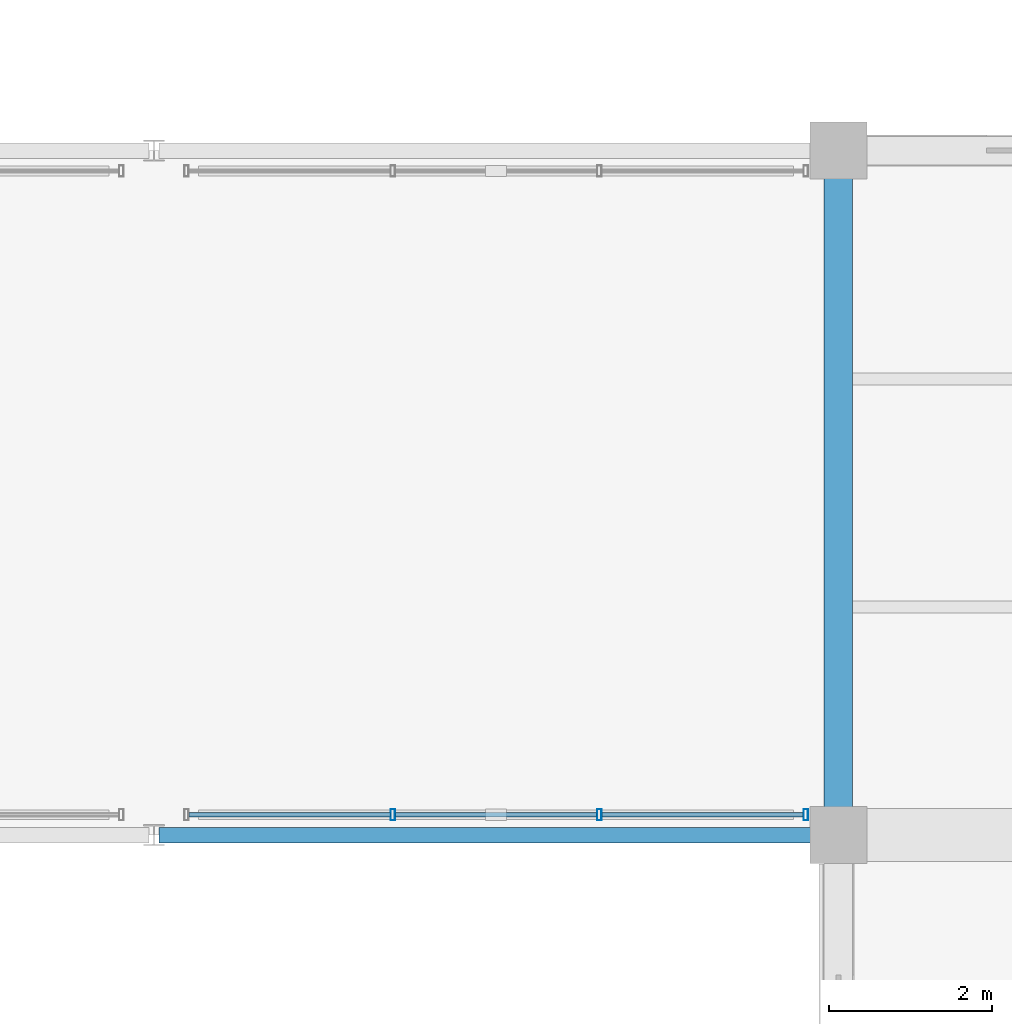
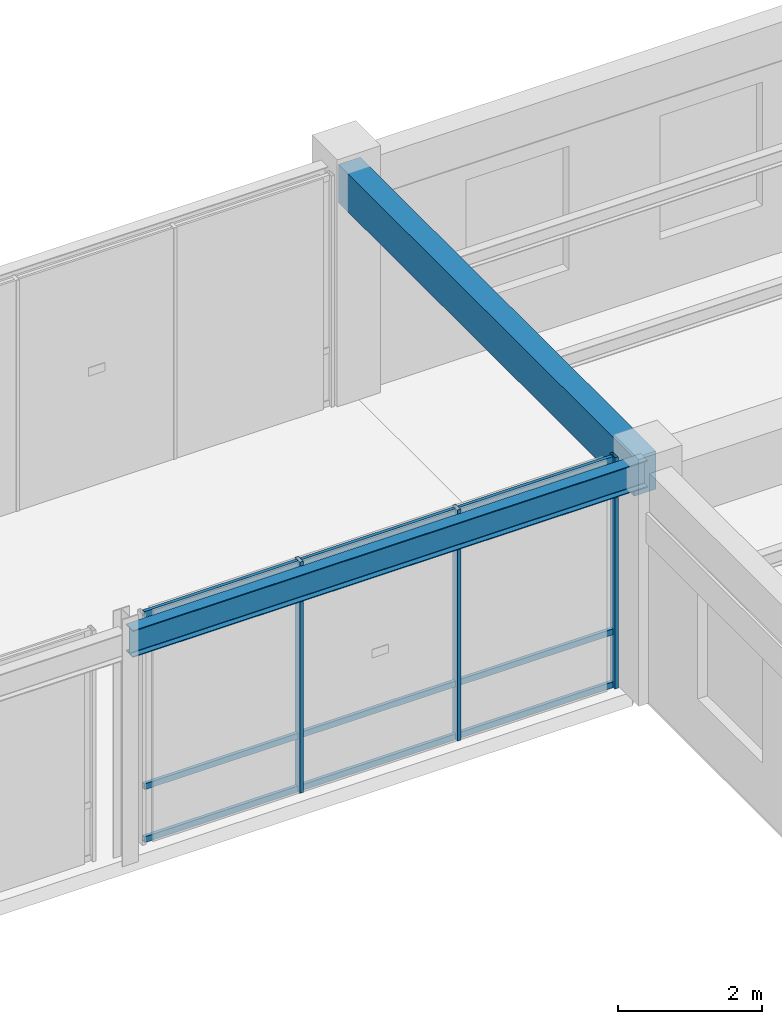
# One storey, part 42 of 152: 12 members, 2 beams, 1 element without a shape of its own.
"""IFC4 building model written with IfcOpenShell, lengths in metres."""

import ifcopenshell
import ifcopenshell.guid

model = None  # the IFC model being written
_history = None  # IfcOwnerHistory: only IFC2X3 demands one
_inside = {}  # id of a spatial element -> (the spatial element, [elements in it])
_under = {}  # id of a project, library or spatial element -> (it, [spatial elements below it])
_declared = {}  # id of a project -> (the project, [libraries it declares])
_typed = {}  # id of a type object -> (the type object, [elements of that type])
_made_of = {}  # id of a material, layer set ... -> (it, [elements and type objects made of it])


def new_model(schema):
    """Start an empty IFC model of exactly this schema.

    Asked for "IFC4X3", IfcOpenShell would pick the latest addendum, in which some entities
    have other attributes; the version numbers below select the first issue.
    IFC2X3 requires an IfcOwnerHistory on every rooted entity: one is made here for all.
    """
    global model, _history
    if schema == "IFC4X3":
        model = ifcopenshell.file(schema_version=(4, 3, 0, 0))
    else:
        model = ifcopenshell.file(schema=schema)
    _inside.clear()
    _under.clear()
    _declared.clear()
    _typed.clear()
    _made_of.clear()
    _history = None
    if model.schema == "IFC2X3":
        org = make("IfcOrganization", Name="unknown")
        user = make(
            "IfcPersonAndOrganization",
            ThePerson=make("IfcPerson", FamilyName="unknown"),
            TheOrganization=org,
        )
        app = make(
            "IfcApplication",
            ApplicationDeveloper=org,
            Version="unknown",
            ApplicationFullName="unknown",
            ApplicationIdentifier="unknown",
        )
        _history = make(
            "IfcOwnerHistory",
            OwningUser=user,
            OwningApplication=app,
            ChangeAction="ADDED",
            CreationDate=0,
        )
    return model


def make(cls, **values):
    """One entity of the class cls with the attributes given. An attribute that is None is left unset."""
    return model.create_entity(
        cls, **{name: value for name, value in values.items() if value is not None}
    )


def rooted(cls, **values):
    """An entity with a GlobalId (a new one), such as an element, a storey or a relation."""
    return make(cls, GlobalId=ifcopenshell.guid.new(), OwnerHistory=_history, **values)


def si_unit(unit_type, name, prefix=None):
    """IfcSIUnit, for example si_unit("LENGTHUNIT", "METRE", prefix="MILLI")."""
    return make("IfcSIUnit", UnitType=unit_type, Prefix=prefix, Name=name)


def assignment(units):
    """IfcUnitAssignment: the units of a project."""
    return None if units is None else make("IfcUnitAssignment", Units=units)


def point(xyz):
    """IfcCartesianPoint."""
    return None if xyz is None else make("IfcCartesianPoint", Coordinates=xyz)


def direction(xyz):
    """IfcDirection."""
    return None if xyz is None else make("IfcDirection", DirectionRatios=xyz)


def frame(location, z_axis=None, x_axis=None):
    """IfcAxis2Placement3D, a coordinate frame: its origin and axes. An axis left out is left unset."""
    return make(
        "IfcAxis2Placement3D",
        Location=point(location),
        Axis=direction(z_axis),
        RefDirection=direction(x_axis),
    )


def frame_2d(location, x_axis=None):
    """IfcAxis2Placement2D, a coordinate frame in the plane: its origin and x axis."""
    return make(
        "IfcAxis2Placement2D", Location=point(location), RefDirection=direction(x_axis)
    )


def origin():
    """The frame at (0, 0, 0) with its axes left unset."""
    return frame((0.0, 0.0, 0.0))


def origin_2d():
    """The frame at (0, 0) in the plane with its x axis left unset."""
    return frame_2d((0.0, 0.0))


def place(relative_to, where):
    """IfcLocalPlacement: puts the frame where relative to a parent placement (None: the world)."""
    return make(
        "IfcLocalPlacement", PlacementRelTo=relative_to, RelativePlacement=where
    )


def context(
    kind, dimensions, precision=None, world=None, true_north=None, identifier=None
):
    """IfcGeometricRepresentationContext, for example the 3D "Model" context."""
    return make(
        "IfcGeometricRepresentationContext",
        ContextIdentifier=identifier,
        ContextType=kind,
        CoordinateSpaceDimension=dimensions,
        Precision=precision,
        WorldCoordinateSystem=world,
        TrueNorth=true_north,
    )


def subcontext(parent, identifier, kind, view, scale=None):
    """IfcGeometricRepresentationSubContext, for example "Body" below "Model"."""
    return make(
        "IfcGeometricRepresentationSubContext",
        ContextIdentifier=identifier,
        ContextType=kind,
        ParentContext=parent,
        TargetScale=scale,
        TargetView=view,
    )


def project(units=None, contexts=None):
    """IfcProject with its units and contexts."""
    return rooted(
        "IfcProject",
        Name="project",
        RepresentationContexts=contexts,
        UnitsInContext=assignment(units),
    )


def spatial(cls, under=None, at=None, **own):
    """A site, building, storey or space (cls), placed at a placement, below another one or the project."""
    s = rooted(cls, ObjectPlacement=at, **own)
    if under is not None:
        _under.setdefault(under.id(), (under, []))[1].append(s)
    return s


def profile(cls, at=None, kind="AREA", **sizes):
    """A parametric profile (cls). Its sizes go by their IFC names, for example OverallWidth=200.0."""
    return make(cls, ProfileType=kind, Position=at, **sizes)


def rectangle(**sizes):
    """IfcRectangleProfileDef."""
    return profile("IfcRectangleProfileDef", **sizes)


def hollow_rectangle(**sizes):
    """IfcRectangleHollowProfileDef."""
    return profile("IfcRectangleHollowProfileDef", **sizes)


def i_section(**sizes):
    """IfcIShapeProfileDef."""
    return profile("IfcIShapeProfileDef", **sizes)


def extrude(swept, where, along, depth):
    """IfcExtrudedAreaSolid: the profile swept, set in the frame where, extruded along a direction by depth."""
    return make(
        "IfcExtrudedAreaSolid",
        SweptArea=swept,
        Position=where,
        ExtrudedDirection=direction(along),
        Depth=depth,
    )


def shape(context_of_items, identifier, shape_type, items):
    """IfcShapeRepresentation: the items that make up one representation, for example the "Body"."""
    return make(
        "IfcShapeRepresentation",
        ContextOfItems=context_of_items,
        RepresentationIdentifier=identifier,
        RepresentationType=shape_type,
        Items=items,
    )


def material(Name=None, Category=None):
    """IfcMaterial."""
    return make("IfcMaterial", Name=Name, Category=Category)


def material_profile(
    of_material, cross_section, Name=None, Category=None, Priority=None
):
    """IfcMaterialProfile: a cross section and its material."""
    return make(
        "IfcMaterialProfile",
        Name=Name,
        Material=of_material,
        Profile=cross_section,
        Priority=Priority,
        Category=Category,
    )


def profile_set(profiles, Name=None, composite=None):
    """IfcMaterialProfileSet."""
    return make(
        "IfcMaterialProfileSet",
        Name=Name,
        MaterialProfiles=profiles,
        CompositeProfile=composite,
    )


def made_of(thing, what):
    """Note that an element or type object is made of a material, layer set ...; save() writes the relation."""
    if what is not None:
        _made_of.setdefault(what.id(), (what, []))[1].append(thing)
    return thing


def type_object(cls, material=None, **own):
    """A type object (cls), such as IfcWallType, which elements share."""
    return made_of(rooted(cls, **own), material)


def element(
    cls,
    number,
    at=None,
    inside=None,
    cuts=None,
    type_object=None,
    material=None,
    context=None,
    identifier="Body",
    shape_type=None,
    held_by="IfcProductDefinitionShape",
    body=None,
    shapes=None,
    **own,
):
    """One element of the class cls, such as IfcWall. Its Tag is "e" and its number.

    at: its placement. inside: the storey or other place that contains it. cuts: it is an
    opening in that element (IfcRelVoidsElement). A single representation is given by context,
    identifier, shape_type and body (its items); several are given by shapes. held_by: the class
    of the entity that holds the representations. save() writes the other relations.
    """
    e = rooted(cls, Tag="e%d" % number, ObjectPlacement=at, **own)
    if body is not None:
        shapes = [shape(context, identifier, shape_type, body)]
    if shapes is not None:
        e.Representation = make(held_by, Representations=shapes)
    if inside is not None:
        _inside.setdefault(inside.id(), (inside, []))[1].append(e)
    if cuts is not None:
        rooted(
            "IfcRelVoidsElement", RelatingBuildingElement=cuts, RelatedOpeningElement=e
        )
    if type_object is not None:
        _typed.setdefault(type_object.id(), (type_object, []))[1].append(e)
    return made_of(e, material)


def aggregate(whole, parts):
    """IfcRelAggregates: a whole, such as a stair, and the parts it consists of."""
    return rooted("IfcRelAggregates", RelatingObject=whole, RelatedObjects=parts)


def save(model, path):
    """Write the relations noted so far, then the file.

    IfcRelAggregates (storeys below a building ...), IfcRelContainedInSpatialStructure (elements
    in a storey), IfcRelDefinesByType, IfcRelAssociatesMaterial and IfcRelDeclares: one each for
    every whole, place, type object, material and project.
    """
    for whole, parts in _under.values():
        aggregate(whole, parts)
    for where, things in _inside.values():
        rooted(
            "IfcRelContainedInSpatialStructure",
            RelatedElements=things,
            RelatingStructure=where,
        )
    for kind, things in _typed.values():
        rooted("IfcRelDefinesByType", RelatedObjects=things, RelatingType=kind)
    for what, things in _made_of.values():
        rooted("IfcRelAssociatesMaterial", RelatedObjects=things, RelatingMaterial=what)
    for by, libraries in _declared.values():
        rooted("IfcRelDeclares", RelatingContext=by, RelatedDefinitions=libraries)
    model.write(path)


model = new_model("IFC4")

# Units and contexts
model_context = context("Model", 3, precision=1e-05, world=origin(), true_north=direction((0.0, 1.0)))
body_context = subcontext(model_context, "Body", "Model", "MODEL_VIEW")
ifc_project = project(units=[si_unit("LENGTHUNIT", "METRE"), si_unit("AREAUNIT", "SQUARE_METRE"), si_unit("VOLUMEUNIT", "CUBIC_METRE"), si_unit("PLANEANGLEUNIT", "RADIAN"), si_unit("MASSUNIT", "GRAM", prefix="KILO"), si_unit("THERMODYNAMICTEMPERATUREUNIT", "KELVIN"), si_unit("POWERUNIT", "WATT")], contexts=[model_context])

# Site, building, storey
site_placement = place(None, origin())
site = spatial("IfcSite", under=ifc_project, at=site_placement, CompositionType="ELEMENT")
building_placement = place(site_placement, origin())
building = spatial("IfcBuilding", under=site, at=building_placement, Name="Darbajah Civic Hall", CompositionType="ELEMENT")
storey_placement = place(building_placement, frame((0.0, 0.0, 5.39990234375)))
storey = spatial("IfcBuildingStorey", under=building, at=storey_placement, Name="L01", CompositionType="ELEMENT", Elevation=5.39990234375)

# Curtain wall, members
ifc_material_1 = material(Name="Anodised Bronze Aluminium and Low-E Glazing", Category="aluminium")
curtain_wall_type = type_object("IfcCurtainWallType", Name="Unitised Curtain Wall CW-103 7600x3950", PredefinedType="USERDEFINED", material=ifc_material_1)
curtain_wall_placement = place(storey_placement, origin())
curtain_wall = element("IfcCurtainWall", 1, at=curtain_wall_placement, inside=storey, type_object=curtain_wall_type, Name="L01 unitised curtain wall CW-V6-SE-S2-L01", ObjectType="UNITISED CURTAIN WALL", PredefinedType="USERDEFINED")
ifc_material_2 = material(Name="Anodised Bronze Aluminium", Category="aluminium")
ifc_material_profile_1 = material_profile(ifc_material_2, hollow_rectangle(XDim=0.054931640625, YDim=0.139892578125, WallThickness=0.003173828125, at=origin_2d()), Name="ALU MULLION 55x140")
ifc_profile_set_1 = profile_set([ifc_material_profile_1], Name="Anodised Bronze Aluminium")
member_type_1 = type_object("IfcMemberType", Name="ALU MULLION 55x140", PredefinedType="MULLION", material=ifc_profile_set_1)
member_1_placement = place(storey_placement, frame((105.533203125, 33.85009765625, 0.0), z_axis=(0.0, 0.0, 1.0), x_axis=(1.0, 0.0, 0.0)))
member_1 = element("IfcMember", 2, at=member_1_placement, type_object=member_type_1, Name="CW-V6-SE-S2-L01 mullion 2", PredefinedType="MULLION", context=body_context, shape_type="SweptSolid", body=[
    extrude(hollow_rectangle(XDim=0.054931640625, YDim=0.139892578125, WallThickness=0.003173828125, at=origin_2d()), origin(), (0.0, 0.0, 1.0), 3.93017578125),
])
member_2_placement = place(storey_placement, frame((108.066650390625, 33.85009765625, 0.0), z_axis=(0.0, 0.0, 1.0), x_axis=(1.0, 0.0, 0.0)))
member_2 = element("IfcMember", 3, at=member_2_placement, type_object=member_type_1, Name="CW-V6-SE-S2-L01 mullion 3", PredefinedType="MULLION", context=body_context, shape_type="SweptSolid", body=[
    extrude(hollow_rectangle(XDim=0.054931640625, YDim=0.139892578125, WallThickness=0.003173828125, at=origin_2d()), origin(), (0.0, 0.0, 1.0), 3.93017578125),
])
member_3_placement = place(storey_placement, frame((110.60009765625, 33.85009765625, 0.0), z_axis=(0.0, 0.0, 1.0), x_axis=(1.0, 0.0, 0.0)))
member_3 = element("IfcMember", 4, at=member_3_placement, type_object=member_type_1, Name="CW-V6-SE-S2-L01 mullion 4", PredefinedType="MULLION", context=body_context, shape_type="SweptSolid", body=[
    extrude(hollow_rectangle(XDim=0.054931640625, YDim=0.139892578125, WallThickness=0.003173828125, at=origin_2d()), origin(), (0.0, 0.0, 1.0), 3.93017578125),
])
ifc_material_profile_2 = material_profile(ifc_material_2, hollow_rectangle(XDim=0.054931640625, YDim=0.10009765625, WallThickness=0.0029296875, at=origin_2d()), Name="ALU TRANSOM 55x100")
ifc_profile_set_2 = profile_set([ifc_material_profile_2], Name="Anodised Bronze Aluminium")
member_type_2 = type_object("IfcMemberType", Name="ALU TRANSOM 55x100", PredefinedType="USERDEFINED", material=ifc_profile_set_2)
member_4_placement = place(storey_placement, frame((103.032470703125, 33.85009765625, 0.050048828125), z_axis=(1.0, 0.0, 0.0), x_axis=(0.0, 1.0, 0.0)))
member_4 = element("IfcMember", 5, at=member_4_placement, type_object=member_type_2, Name="CW-V6-SE-S2-L01 transom 1.1", ObjectType="TRANSOM", PredefinedType="USERDEFINED", context=body_context, shape_type="SweptSolid", body=[
    extrude(hollow_rectangle(XDim=0.054931640625, YDim=0.10009765625, WallThickness=0.0029296875, at=origin_2d()), origin(), (0.0, 0.0, 1.0), 2.46826171875),
])
member_5_placement = place(storey_placement, frame((103.032470703125, 33.85009765625, 0.9501953125), z_axis=(1.0, 0.0, 0.0), x_axis=(0.0, 1.0, 0.0)))
member_5 = element("IfcMember", 6, at=member_5_placement, type_object=member_type_2, Name="CW-V6-SE-S2-L01 transom 1.2", ObjectType="TRANSOM", PredefinedType="USERDEFINED", context=body_context, shape_type="SweptSolid", body=[
    extrude(hollow_rectangle(XDim=0.054931640625, YDim=0.10009765625, WallThickness=0.0029296875, at=origin_2d()), origin(), (0.0, 0.0, 1.0), 2.46826171875),
])
member_6_placement = place(storey_placement, frame((103.032470703125, 33.85009765625, 3.880126953125), z_axis=(1.0, 0.0, 0.0), x_axis=(0.0, 1.0, 0.0)))
member_6 = element("IfcMember", 7, at=member_6_placement, type_object=member_type_2, Name="CW-V6-SE-S2-L01 transom 1.3", ObjectType="TRANSOM", PredefinedType="USERDEFINED", context=body_context, shape_type="SweptSolid", body=[
    extrude(hollow_rectangle(XDim=0.054931640625, YDim=0.10009765625, WallThickness=0.0029296875, at=origin_2d()), origin(), (0.0, 0.0, 1.0), 2.46826171875),
])
member_7_placement = place(storey_placement, frame((105.56591796875, 33.85009765625, 0.050048828125), z_axis=(1.0, 0.0, 0.0), x_axis=(0.0, 1.0, 0.0)))
member_7 = element("IfcMember", 8, at=member_7_placement, type_object=member_type_2, Name="CW-V6-SE-S2-L01 transom 2.1", ObjectType="TRANSOM", PredefinedType="USERDEFINED", context=body_context, shape_type="SweptSolid", body=[
    extrude(hollow_rectangle(XDim=0.054931640625, YDim=0.10009765625, WallThickness=0.0029296875, at=origin_2d()), origin(), (0.0, 0.0, 1.0), 2.46826171875),
])
member_8_placement = place(storey_placement, frame((105.56591796875, 33.85009765625, 0.9501953125), z_axis=(1.0, 0.0, 0.0), x_axis=(0.0, 1.0, 0.0)))
member_8 = element("IfcMember", 9, at=member_8_placement, type_object=member_type_2, Name="CW-V6-SE-S2-L01 transom 2.2", ObjectType="TRANSOM", PredefinedType="USERDEFINED", context=body_context, shape_type="SweptSolid", body=[
    extrude(hollow_rectangle(XDim=0.054931640625, YDim=0.10009765625, WallThickness=0.0029296875, at=origin_2d()), origin(), (0.0, 0.0, 1.0), 2.46826171875),
])
member_9_placement = place(storey_placement, frame((105.56591796875, 33.85009765625, 3.880126953125), z_axis=(1.0, 0.0, 0.0), x_axis=(0.0, 1.0, 0.0)))
member_9 = element("IfcMember", 10, at=member_9_placement, type_object=member_type_2, Name="CW-V6-SE-S2-L01 transom 2.3", ObjectType="TRANSOM", PredefinedType="USERDEFINED", context=body_context, shape_type="SweptSolid", body=[
    extrude(hollow_rectangle(XDim=0.054931640625, YDim=0.10009765625, WallThickness=0.0029296875, at=origin_2d()), origin(), (0.0, 0.0, 1.0), 2.46826171875),
])
member_10_placement = place(storey_placement, frame((108.09912109375, 33.85009765625, 0.050048828125), z_axis=(1.0, 0.0, 0.0), x_axis=(0.0, 1.0, 0.0)))
member_10 = element("IfcMember", 11, at=member_10_placement, type_object=member_type_2, Name="CW-V6-SE-S2-L01 transom 3.1", ObjectType="TRANSOM", PredefinedType="USERDEFINED", context=body_context, shape_type="SweptSolid", body=[
    extrude(hollow_rectangle(XDim=0.054931640625, YDim=0.10009765625, WallThickness=0.0029296875, at=origin_2d()), origin(), (0.0, 0.0, 1.0), 2.46826171875),
])
member_11_placement = place(storey_placement, frame((108.09912109375, 33.85009765625, 0.9501953125), z_axis=(1.0, 0.0, 0.0), x_axis=(0.0, 1.0, 0.0)))
member_11 = element("IfcMember", 12, at=member_11_placement, type_object=member_type_2, Name="CW-V6-SE-S2-L01 transom 3.2", ObjectType="TRANSOM", PredefinedType="USERDEFINED", context=body_context, shape_type="SweptSolid", body=[
    extrude(hollow_rectangle(XDim=0.054931640625, YDim=0.10009765625, WallThickness=0.0029296875, at=origin_2d()), origin(), (0.0, 0.0, 1.0), 2.46826171875),
])
member_12_placement = place(storey_placement, frame((108.09912109375, 33.85009765625, 3.880126953125), z_axis=(1.0, 0.0, 0.0), x_axis=(0.0, 1.0, 0.0)))
member_12 = element("IfcMember", 13, at=member_12_placement, type_object=member_type_2, Name="CW-V6-SE-S2-L01 transom 3.3", ObjectType="TRANSOM", PredefinedType="USERDEFINED", context=body_context, shape_type="SweptSolid", body=[
    extrude(hollow_rectangle(XDim=0.054931640625, YDim=0.10009765625, WallThickness=0.0029296875, at=origin_2d()), origin(), (0.0, 0.0, 1.0), 2.46826171875),
])
aggregate(curtain_wall, [member_1, member_2, member_3, member_4, member_5, member_6, member_7, member_8, member_9, member_10, member_11, member_12])

# Beams
ifc_material_3 = material(Name="Concrete C45/55", Category="concrete")
ifc_material_profile_3 = material_profile(ifc_material_3, rectangle(XDim=0.35009765625, YDim=0.64990234375, at=origin_2d()), Name="RC SPANDREL 350x650")
ifc_profile_set_3 = profile_set([ifc_material_profile_3], Name="Concrete C45/55")
beam_type_1 = type_object("IfcBeamType", Name="RC SPANDREL 350x650", PredefinedType="SPANDREL", material=ifc_profile_set_3)
beam_1_placement = place(storey_placement, frame((111.0, 33.679931640625, 3.5751953125), z_axis=(0.0, 1.0, 0.0), x_axis=(-1.0, 0.0, 0.0)))
element("IfcBeam", 14, at=beam_1_placement, inside=storey, type_object=beam_type_1, Name="L01 beam SP-3565", PredefinedType="SPANDREL", context=body_context, shape_type="SweptSolid", body=[
    extrude(rectangle(XDim=0.35009765625, YDim=0.64990234375, at=origin_2d()), origin(), (0.0, 0.0, 1.0), 8.239990234375),
])
ifc_material_4 = material(Name="Steel S355JR", Category="steel")
ifc_material_profile_4 = material_profile(ifc_material_4, i_section(OverallWidth=0.1904296875, OverallDepth=0.45703125, WebThickness=0.009033203125, FlangeThickness=0.014404296875, FilletRadius=0.01025390625, at=origin_2d()), Name="UB 457x191x74")
ifc_profile_set_4 = profile_set([ifc_material_profile_4], Name="Steel S355JR")
beam_type_2 = type_object("IfcBeamType", Name="UB 457x191x74", PredefinedType="BEAM", material=ifc_profile_set_4)
beam_2_placement = place(storey_placement, frame((102.659912109375, 33.60009765625, 3.70166015625), z_axis=(1.0, 0.0, 0.0), x_axis=(0.0, 1.0, 0.0)))
element("IfcBeam", 15, at=beam_2_placement, inside=storey, type_object=beam_type_2, Name="L01 beam SB-457", PredefinedType="BEAM", context=body_context, shape_type="SweptSolid", body=[
    extrude(i_section(OverallWidth=0.1904296875, OverallDepth=0.45703125, WebThickness=0.009033203125, FlangeThickness=0.014404296875, FilletRadius=0.01025390625, at=origin_2d()), origin(), (0.0, 0.0, 1.0), 8.280029296875),
])

save(model, "model.ifc")
